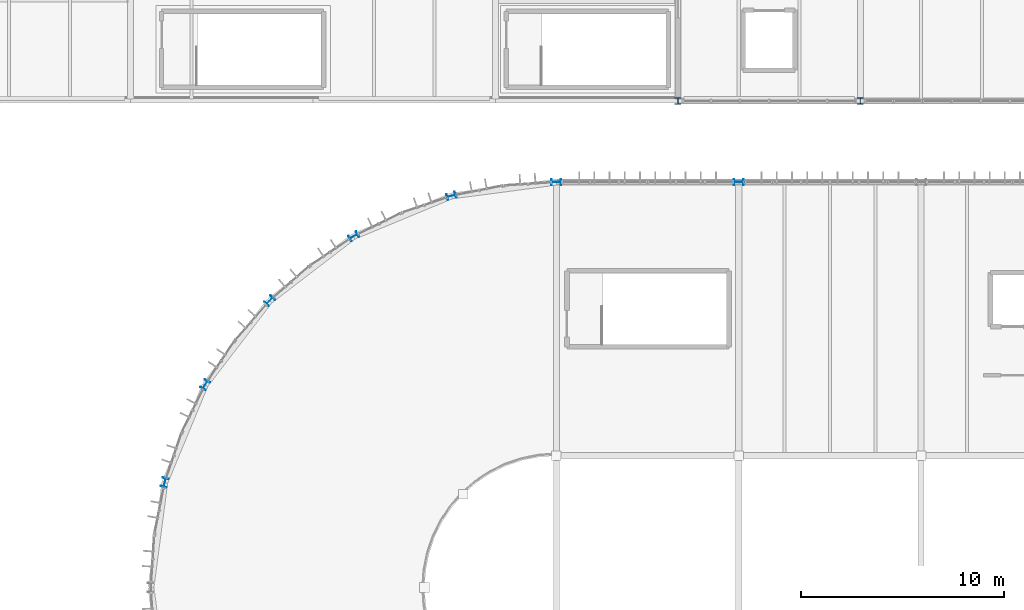
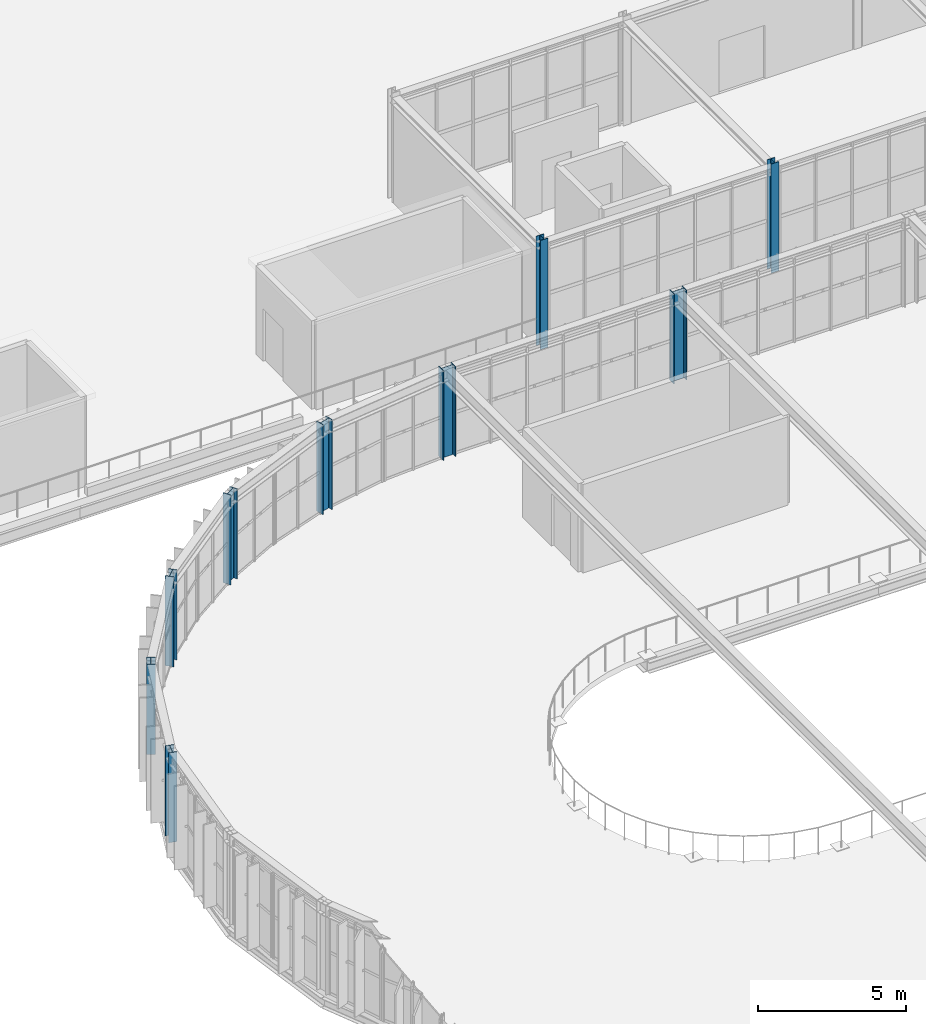
# One storey, part 6 of 152: 9 columns.
"""IFC4 building model written with IfcOpenShell, lengths in metres."""

from ifc_helpers import new_model, si_unit, derived_unit, direction, frame, origin, origin_2d, place, context, subcontext, project, spatial, i_section, extrude, material, material_profile, profile_set, type_object, element, save


model = new_model("IFC4")

# Units and contexts
model_context = context("Model", 3, precision=1e-05, world=origin(), true_north=direction((0.0, 1.0)))
body_context = subcontext(model_context, "Body", "Model", "MODEL_VIEW")
ifc_project = project(units=[si_unit("LENGTHUNIT", "METRE"), si_unit("AREAUNIT", "SQUARE_METRE"), si_unit("VOLUMEUNIT", "CUBIC_METRE"), si_unit("PLANEANGLEUNIT", "RADIAN"), si_unit("MASSUNIT", "GRAM", prefix="KILO"), si_unit("THERMODYNAMICTEMPERATUREUNIT", "KELVIN"), si_unit("TIMEUNIT", "SECOND"), derived_unit("THERMALTRANSMITTANCEUNIT", [(si_unit("MASSUNIT", "GRAM", prefix="KILO"), 1), (si_unit("THERMODYNAMICTEMPERATUREUNIT", "KELVIN"), -1), (si_unit("TIMEUNIT", "SECOND"), -3)])], contexts=[model_context])

# Site, building, storey
site_placement = place(None, origin())
site = spatial("IfcSite", under=ifc_project, at=site_placement, CompositionType="ELEMENT")
building_placement = place(site_placement, origin())
building = spatial("IfcBuilding", under=site, at=building_placement, Name="Cambertide Market Hall", CompositionType="ELEMENT")
storey_placement = place(building_placement, frame((0.0, 0.0, 5.39990234375)))
storey = spatial("IfcBuildingStorey", under=building, at=storey_placement, Name="L02", CompositionType="ELEMENT", Elevation=5.39990234375)

# Columns
ifc_material_1 = material(Name="Steel S355", Category="steel")
ifc_material_profile_1 = material_profile(ifc_material_1, i_section(OverallWidth=0.300048828125, OverallDepth=0.300048828125, WebThickness=0.010986328125, FlangeThickness=0.01904296875, FilletRadius=0.027099609375, at=origin_2d()), Name="HEB 300")
ifc_profile_set_1 = profile_set([ifc_material_profile_1], Name="Steel S355")
column_type_1 = type_object("IfcColumnType", Name="Exterior Steel Column HEB 300", PredefinedType="COLUMN", material=ifc_profile_set_1)
for number, where, z_axis, x_axis, name in (
    (1, (48.0, 96.0, 0.0), (0.0, 0.0, 1.0), (1.0, 0.0, 0.0), "Level 2 Column COL-V2-5-1-L02"),
    (2, (57.0, 96.0, 0.0), (0.0, 0.0, 1.0), (1.0, 0.0, 0.0), "Level 2 Column COL-V2-6-1-L02"),
):
    element("IfcColumn", number, at=place(storey_placement, frame(where, z_axis=z_axis, x_axis=x_axis)), inside=storey, type_object=column_type_1, Name=name, PredefinedType="COLUMN", context=body_context, shape_type="SweptSolid", body=[
        extrude(i_section(OverallWidth=0.300048828125, OverallDepth=0.300048828125, WebThickness=0.010986328125, FlangeThickness=0.01904296875, FilletRadius=0.027099609375, at=origin_2d()), origin(), (0.0, 0.0, 1.0), 4.5),
    ])
ifc_material_2 = material(Name="Steel S355", Category="steel")
ifc_material_profile_2 = material_profile(ifc_material_2, i_section(OverallWidth=0.300048828125, OverallDepth=0.449951171875, WebThickness=0.013916015625, FlangeThickness=0.02587890625, FilletRadius=0.027099609375, at=origin_2d()), Name="HEB 450")
ifc_profile_set_2 = profile_set([ifc_material_profile_2], Name="Steel S355")
column_type_2 = type_object("IfcColumnType", Name="Exterior Steel Column HEB 450", PredefinedType="COLUMN", material=ifc_profile_set_2)
for number, where, z_axis, x_axis, name in (
    (3, (36.82373046875, 91.318603515625, 0.0), (0.0, 0.0, 1.0), (-0.258819045103, 0.965925826289, 0.0), "Level 2 Column COL-V1-AW02-L02"),
    (4, (32.0, 89.320556640625, 0.0), (0.0, 0.0, 1.0), (-0.5, 0.866025403784, 0.0), "Level 2 Column COL-V1-AW04-L02"),
    (5, (27.85791015625, 86.14208984375, 0.0), (0.0, 0.0, 1.0), (-0.707106781187, 0.707106781187, 0.0), "Level 2 Column COL-V1-AW06-L02"),
    (6, (24.679443359375, 82.0, 0.0), (0.0, 0.0, 1.0), (-0.866025403784, 0.5, 0.0), "Level 2 Column COL-V1-AW08-L02"),
    (7, (22.681396484375, 77.17626953125, 0.0), (0.0, 0.0, 1.0), (-0.965925826289, 0.258819045103, 0.0), "Level 2 Column COL-V1-AW10-L02"),
):
    element("IfcColumn", number, at=place(storey_placement, frame(where, z_axis=z_axis, x_axis=x_axis)), inside=storey, type_object=column_type_2, Name=name, PredefinedType="COLUMN", context=body_context, shape_type="SweptSolid", body=[
        extrude(i_section(OverallWidth=0.300048828125, OverallDepth=0.449951171875, WebThickness=0.013916015625, FlangeThickness=0.02587890625, FilletRadius=0.027099609375, at=origin_2d()), origin(), (0.0, 0.0, 1.0), 3.7001953125),
    ])
ifc_material_3 = material(Name="Steel S355", Category="steel")
ifc_material_profile_3 = material_profile(ifc_material_3, i_section(OverallWidth=0.300048828125, OverallDepth=0.5, WebThickness=0.014404296875, FlangeThickness=0.028076171875, FilletRadius=0.027099609375, at=origin_2d()), Name="HEB 500")
ifc_profile_set_3 = profile_set([ifc_material_profile_3], Name="Steel S355")
column_type_3 = type_object("IfcColumnType", Name="Exterior Steel Column HEB 500", PredefinedType="COLUMN", material=ifc_profile_set_3)
for number, where, z_axis, x_axis, name in (
    (8, (42.0, 92.0, 0.0), (0.0, 0.0, 1.0), (0.0, 1.0, 0.0), "Level 2 Column COL-V1-N1-L02"),
    (9, (51.0, 92.0, 0.0), (0.0, 0.0, 1.0), (0.0, 1.0, 0.0), "Level 2 Column COL-V1-N2-L02"),
):
    element("IfcColumn", number, at=place(storey_placement, frame(where, z_axis=z_axis, x_axis=x_axis)), inside=storey, type_object=column_type_3, Name=name, PredefinedType="COLUMN", context=body_context, shape_type="SweptSolid", body=[
        extrude(i_section(OverallWidth=0.300048828125, OverallDepth=0.5, WebThickness=0.014404296875, FlangeThickness=0.028076171875, FilletRadius=0.027099609375, at=origin_2d()), origin(), (0.0, 0.0, 1.0), 3.7001953125),
    ])

save(model, "model.ifc")
